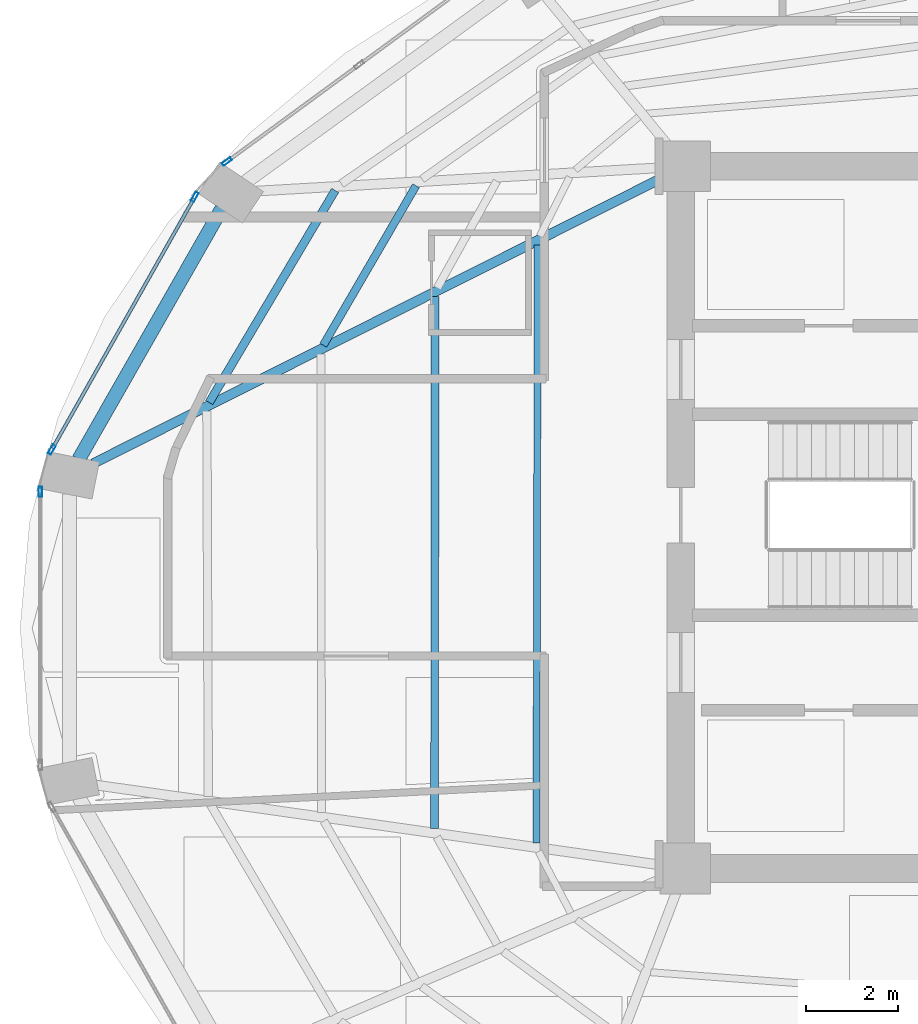
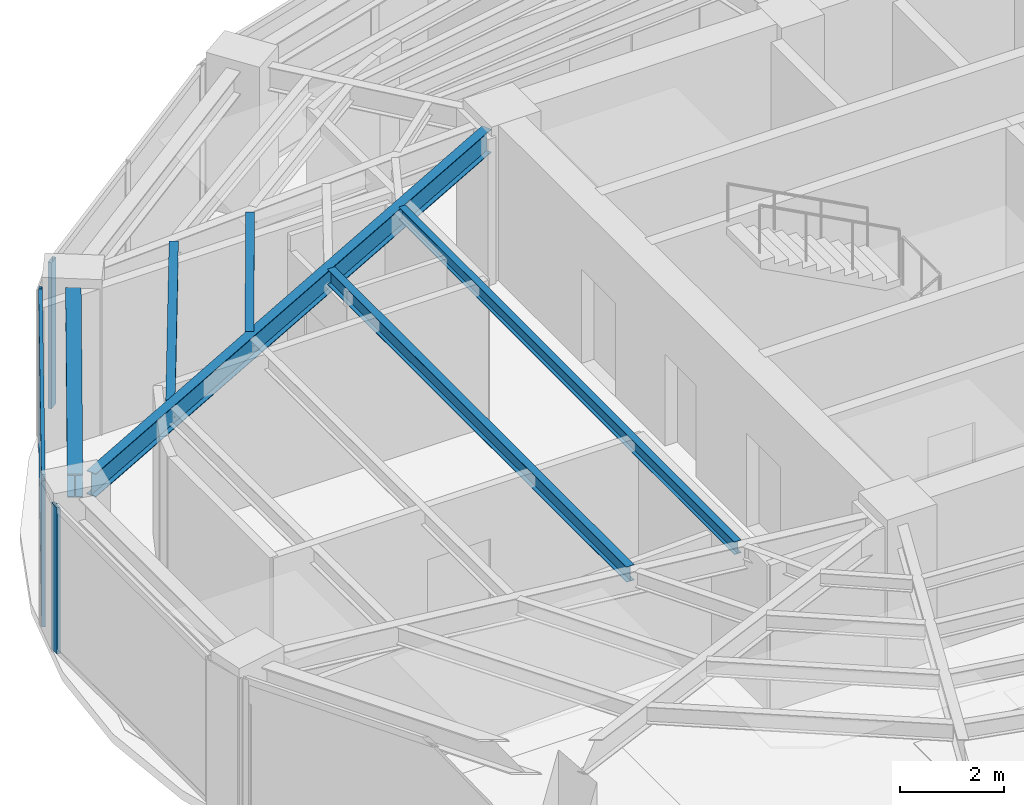
# One storey, part 6 of 20: 6 beams, 6 members, 3 elements without a shape of their own.
"""IFC4 building model written with IfcOpenShell, lengths in metres."""

from ifc_helpers import new_model, si_unit, direction, frame, origin, origin_2d, place, context, subcontext, project, spatial, hollow_rectangle, i_section, extrude, material, layer, layer_set, material_profile, profile_set, type_object, element, aggregate, save


model = new_model("IFC4")

# Units and contexts
model_context = context("Model", 3, precision=1e-05, world=origin(), true_north=direction((0.0, 1.0)))
body_context = subcontext(model_context, "Body", "Model", "MODEL_VIEW")
ifc_project = project(units=[si_unit("LENGTHUNIT", "METRE"), si_unit("AREAUNIT", "SQUARE_METRE"), si_unit("VOLUMEUNIT", "CUBIC_METRE"), si_unit("PLANEANGLEUNIT", "RADIAN"), si_unit("MASSUNIT", "GRAM", prefix="KILO")], contexts=[model_context])

# Site, building, storey
site_placement = place(None, origin())
site = spatial("IfcSite", under=ifc_project, at=site_placement, CompositionType="ELEMENT")
building_placement = place(site_placement, origin())
building = spatial("IfcBuilding", under=site, at=building_placement, Name="Lazwardi Medical Tower", CompositionType="ELEMENT")
storey_placement = place(building_placement, frame((0.0, 0.0, 145.583984375)))
storey = spatial("IfcBuildingStorey", under=building, at=storey_placement, Name="L37", CompositionType="ELEMENT", Elevation=145.583984375)

# Beams
ifc_material_1 = material(Name="Steel S355", Category="steel")
ifc_material_profile_1 = material_profile(ifc_material_1, i_section(OverallWidth=0.300048828125, OverallDepth=0.550048828125, WebThickness=0.014892578125, FlangeThickness=0.029052734375, at=origin_2d()), Name="HEB 550")
ifc_profile_set_1 = profile_set([ifc_material_profile_1], Name="Steel S355")
beam_type_1 = type_object("IfcBeamType", Name="BM-RB-Z3", PredefinedType="BEAM", material=ifc_profile_set_1)
beam_1_placement = place(storey_placement, frame((16.3662109375, 34.683349609375, 3.153076171875), z_axis=(-0.495477752551, -0.868620628771, 0.0), x_axis=(0.868620628771, -0.495477752551, 0.0)))
element("IfcBeam", 1, at=beam_1_placement, inside=storey, type_object=beam_type_1, Name="Ring beam RB-04 B11 L37", PredefinedType="BEAM", context=body_context, shape_type="SweptSolid", body=[
    extrude(i_section(OverallWidth=0.300048828125, OverallDepth=0.550048828125, WebThickness=0.014892578125, FlangeThickness=0.029052734375, at=origin_2d()), origin(), (0.0, 0.0, 1.0), 6.244384765625),
])
ifc_material_profile_2 = material_profile(ifc_material_1, i_section(OverallWidth=0.2099609375, OverallDepth=0.550048828125, WebThickness=0.010986328125, FlangeThickness=0.01708984375, at=origin_2d()), Name="IPE 550")
ifc_profile_set_2 = profile_set([ifc_material_profile_2], Name="Steel S355")
beam_type_2 = type_object("IfcBeamType", Name="BM-RG-W2", PredefinedType="BEAM", material=ifc_profile_set_2)
beam_2_placement = place(storey_placement, frame((13.57470703125, 29.162841796875, 3.153076171875), z_axis=(0.893740468624, 0.448584412061, 0.0), x_axis=(-0.448584412061, 0.893740468624, 0.0)))
element("IfcBeam", 2, at=beam_2_placement, inside=storey, type_object=beam_type_2, Name="Radial girder RG-03 R12 L37", PredefinedType="BEAM", context=body_context, shape_type="SweptSolid", body=[
    extrude(i_section(OverallWidth=0.2099609375, OverallDepth=0.550048828125, WebThickness=0.010986328125, FlangeThickness=0.01708984375, at=origin_2d()), origin(), (0.0, 0.0, 1.0), 13.815185546875),
])
ifc_material_profile_3 = material_profile(ifc_material_1, i_section(OverallWidth=0.179931640625, OverallDepth=0.39990234375, WebThickness=0.008544921875, FlangeThickness=0.013427734375, at=origin_2d()), Name="IPE 400")
ifc_profile_set_3 = profile_set([ifc_material_profile_3], Name="Steel S355")
beam_type_3 = type_object("IfcBeamType", Name="BM-SJ-01", PredefinedType="JOIST", material=ifc_profile_set_3)
beam_3_placement = place(storey_placement, frame((18.82080078125, 35.078369140625, 3.22802734375), z_axis=(-0.510569396963, -0.859836548935, 0.0), x_axis=(0.859836548935, -0.510569396963, 0.0)))
element("IfcBeam", 3, at=beam_3_placement, inside=storey, type_object=beam_type_3, Name="Secondary joist SJ-01 R1 B11 L37", PredefinedType="JOIST", context=body_context, shape_type="SweptSolid", body=[
    extrude(i_section(OverallWidth=0.179931640625, OverallDepth=0.39990234375, WebThickness=0.008544921875, FlangeThickness=0.013427734375, at=origin_2d()), origin(), (0.0, 0.0, 1.0), 5.33837890625),
])
ifc_material_profile_4 = material_profile(ifc_material_1, i_section(OverallWidth=0.169921875, OverallDepth=0.360107421875, WebThickness=0.008056640625, FlangeThickness=0.0126953125, at=origin_2d()), Name="IPE 360")
ifc_profile_set_4 = profile_set([ifc_material_profile_4], Name="Steel S355")
beam_type_4 = type_object("IfcBeamType", Name="BM-SJ-02", PredefinedType="JOIST", material=ifc_profile_set_4)
beam_4_placement = place(storey_placement, frame((20.5703125, 35.17919921875, 3.248046875), z_axis=(-0.502665102216, -0.864481228839, 0.0), x_axis=(0.864481228839, -0.502665102216, 0.0)))
element("IfcBeam", 4, at=beam_4_placement, inside=storey, type_object=beam_type_4, Name="Secondary joist SJ-02 R2 B11 L37", PredefinedType="JOIST", context=body_context, shape_type="SweptSolid", body=[
    extrude(i_section(OverallWidth=0.169921875, OverallDepth=0.360107421875, WebThickness=0.008056640625, FlangeThickness=0.0126953125, at=origin_2d()), origin(), (0.0, 0.0, 1.0), 3.991943359375),
])
beam_5_placement = place(storey_placement, frame((20.98291015625, 32.78125, 3.248046875), z_axis=(-0.000805852776, -0.999999675301, 0.0), x_axis=(0.999999675301, -0.000805852776, 0.0)))
element("IfcBeam", 5, at=beam_5_placement, inside=storey, type_object=beam_type_4, Name="Secondary joist SJ-02 R3 B12 L37", PredefinedType="JOIST", context=body_context, shape_type="SweptSolid", body=[
    extrude(i_section(OverallWidth=0.169921875, OverallDepth=0.360107421875, WebThickness=0.008056640625, FlangeThickness=0.0126953125, at=origin_2d()), origin(), (0.0, 0.0, 1.0), 11.512451171875),
])
ifc_material_profile_5 = material_profile(ifc_material_1, i_section(OverallWidth=0.14990234375, OverallDepth=0.300048828125, WebThickness=0.007080078125, FlangeThickness=0.0107421875, at=origin_2d()), Name="IPE 300")
ifc_profile_set_5 = profile_set([ifc_material_profile_5], Name="Steel S355")
beam_type_5 = type_object("IfcBeamType", Name="BM-SJ-03", PredefinedType="JOIST", material=ifc_profile_set_5)
beam_6_placement = place(storey_placement, frame((23.205078125, 33.896484375, 3.278076171875), z_axis=(-0.002150897838, -0.999997686817, 0.0), x_axis=(0.999997686817, -0.002150897838, 0.0)))
element("IfcBeam", 6, at=beam_6_placement, inside=storey, type_object=beam_type_5, Name="Secondary joist SJ-03 R4 B12 L37", PredefinedType="JOIST", context=body_context, shape_type="SweptSolid", body=[
    extrude(i_section(OverallWidth=0.14990234375, OverallDepth=0.300048828125, WebThickness=0.007080078125, FlangeThickness=0.0107421875, at=origin_2d()), origin(), (0.0, 0.0, 1.0), 12.939697265625),
])

# Curtain wall, member
ifc_material_2 = material(Name="Anodised bronze aluminium and solar control glazing", Category="aluminium")
ifc_layer = layer(ifc_material_2, 0.195068359375)
ifc_layer_set = layer_set([ifc_layer], Name="Anodised bronze aluminium and solar control glazing")
curtain_wall_type = type_object("IfcCurtainWallType", Name="CW-SYS-03", PredefinedType="NOTDEFINED", material=ifc_layer_set)
curtain_wall_1_placement = place(storey_placement, origin())
curtain_wall_1 = element("IfcCurtainWall", 7, at=curtain_wall_1_placement, inside=storey, type_object=curtain_wall_type, Name="L37 Unitised bronze curtain wall CW-03", PredefinedType="NOTDEFINED")
ifc_material_3 = material(Name="Anodised bronze aluminium", Category="aluminium")
ifc_material_profile_6 = material_profile(ifc_material_3, hollow_rectangle(XDim=0.074951171875, YDim=0.219970703125, WallThickness=0.00390625, at=origin_2d()), Name="ALU-MULLION 220x75x4")
ifc_profile_set_6 = profile_set([ifc_material_profile_6], Name="Anodised bronze aluminium")
member_type_1 = type_object("IfcMemberType", Name="CW-MUL-01", PredefinedType="MULLION", material=ifc_profile_set_6)
member_1_placement = place(storey_placement, frame((16.480224609375, 35.702880859375, 0.0), z_axis=(0.0, 0.0, 1.0), x_axis=(0.590833862635, -0.806793249082, 0.0)))
member_1 = element("IfcMember", 8, at=member_1_placement, type_object=member_type_1, Name="CW-03 mullion 3", PredefinedType="MULLION", context=body_context, shape_type="SweptSolid", body=[
    extrude(hollow_rectangle(XDim=0.074951171875, YDim=0.219970703125, WallThickness=0.00390625, at=origin_2d()), origin(), (0.0, 0.0, 1.0), 3.427978515625),
])
aggregate(curtain_wall_1, [member_1])

# Curtain wall, members
curtain_wall_2_placement = place(storey_placement, origin())
curtain_wall_2 = element("IfcCurtainWall", 9, at=curtain_wall_2_placement, inside=storey, type_object=curtain_wall_type, Name="L37 Unitised bronze curtain wall CW-03", PredefinedType="NOTDEFINED")
member_2_placement = place(storey_placement, frame((15.782470703125, 34.936767578125, 0.0), z_axis=(0.0, 0.0, 1.0), x_axis=(0.870418989303, -0.492311672683, 0.0)))
member_2 = element("IfcMember", 10, at=member_2_placement, type_object=member_type_1, Name="CW-03 mullion 1", PredefinedType="MULLION", context=body_context, shape_type="SweptSolid", body=[
    extrude(hollow_rectangle(XDim=0.074951171875, YDim=0.219970703125, WallThickness=0.00390625, at=origin_2d()), origin(), (0.0, 0.0, 1.0), 3.427978515625),
])
member_3_placement = place(storey_placement, frame((12.68896484375, 29.46728515625, 0.0), z_axis=(0.0, 0.0, 1.0), x_axis=(0.870418989303, -0.492311672683, 0.0)))
member_3 = element("IfcMember", 11, at=member_3_placement, type_object=member_type_1, Name="CW-03 mullion 2", PredefinedType="MULLION", context=body_context, shape_type="SweptSolid", body=[
    extrude(hollow_rectangle(XDim=0.074951171875, YDim=0.219970703125, WallThickness=0.00390625, at=origin_2d()), origin(), (0.0, 0.0, 1.0), 3.427978515625),
])

# Curtain wall, member
curtain_wall_3_placement = place(storey_placement, origin())
curtain_wall_3 = element("IfcCurtainWall", 12, at=curtain_wall_3_placement, inside=storey, type_object=curtain_wall_type, Name="L37 Unitised bronze curtain wall CW-03", PredefinedType="NOTDEFINED")
member_4_placement = place(storey_placement, frame((12.4423828125, 28.557861328125, 0.0), z_axis=(0.0, 0.0, 1.0), x_axis=(1.0, 0.0, 0.0)))
member_4 = element("IfcMember", 13, at=member_4_placement, type_object=member_type_1, Name="CW-03 mullion 1", PredefinedType="MULLION", context=body_context, shape_type="SweptSolid", body=[
    extrude(hollow_rectangle(XDim=0.074951171875, YDim=0.219970703125, WallThickness=0.00390625, at=origin_2d()), origin(), (0.0, 0.0, 1.0), 3.427978515625),
])
aggregate(curtain_wall_3, [member_4])

# Member
ifc_material_profile_7 = material_profile(ifc_material_3, hollow_rectangle(XDim=0.074951171875, YDim=0.159912109375, WallThickness=0.00390625, at=origin_2d()), Name="ALU-TRANSOM 160x75x4")
ifc_profile_set_7 = profile_set([ifc_material_profile_7], Name="Anodised bronze aluminium")
member_type_2 = type_object("IfcMemberType", Name="CW-TRN-01", PredefinedType="USERDEFINED", material=ifc_profile_set_7)
member_5_placement = place(storey_placement, frame((15.763916015625, 34.904052734375, 0.03759765625), z_axis=(-0.492322860598, -0.870412661289, 0.0), x_axis=(0.870412661289, -0.492322860598, 0.0)))
member_5 = element("IfcMember", 14, at=member_5_placement, type_object=member_type_2, Name="CW-03 transom 1.1", ObjectType="TRANSOM", PredefinedType="USERDEFINED", context=body_context, shape_type="SweptSolid", body=[
    extrude(hollow_rectangle(XDim=0.074951171875, YDim=0.159912109375, WallThickness=0.00390625, at=origin_2d()), origin(), (0.0, 0.0, 1.0), 6.20849609375),
])

member_6_placement = place(storey_placement, frame((15.763916015625, 34.904052734375, 3.390625), z_axis=(-0.492322860598, -0.870412661289, 0.0), x_axis=(0.870412661289, -0.492322860598, 0.0)))
member_6 = element("IfcMember", 15, at=member_6_placement, type_object=member_type_2, Name="CW-03 transom 1.2", ObjectType="TRANSOM", PredefinedType="USERDEFINED", context=body_context, shape_type="SweptSolid", body=[
    extrude(hollow_rectangle(XDim=0.074951171875, YDim=0.159912109375, WallThickness=0.00390625, at=origin_2d()), origin(), (0.0, 0.0, 1.0), 6.20849609375),
])

aggregate(curtain_wall_2, [member_2, member_3, member_5, member_6])

save(model, "model.ifc")
